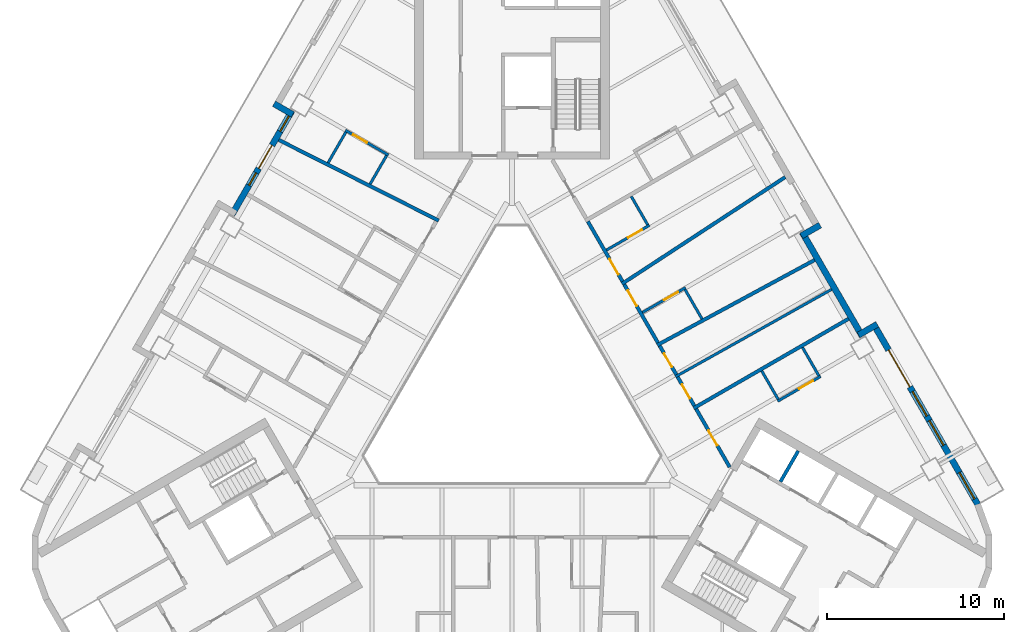
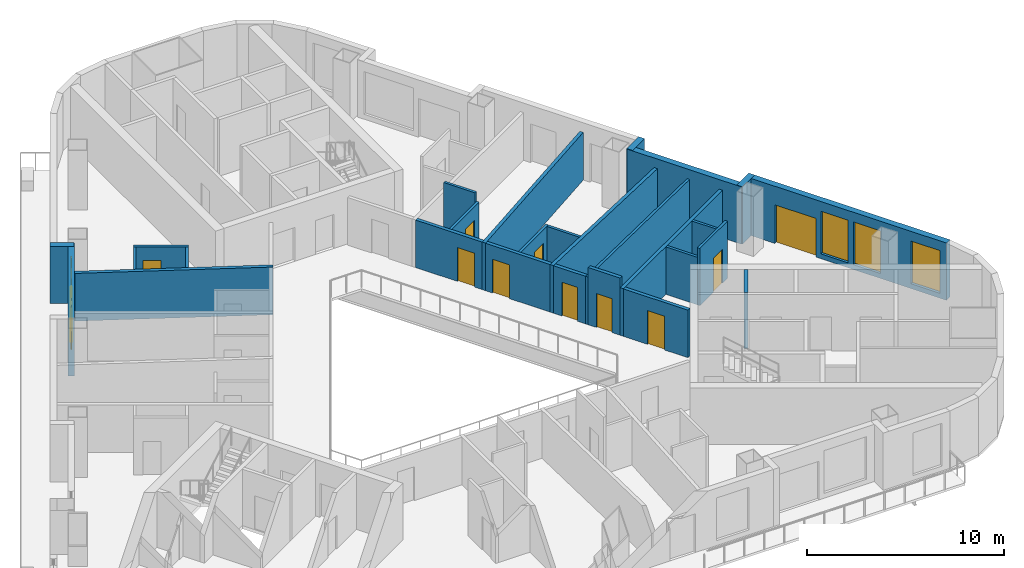
# One storey, part 6 of 14: 27 walls, 11 doors, 5 windows, 16 openings.
"""IFC4 building model written with IfcOpenShell, lengths in metres."""

from ifc_helpers import new_model, si_unit, direction, frame, frame_2d, origin, place, context, subcontext, project, spatial, rectangle, extrude, material, layer, layer_set, type_object, element, fill, save


model = new_model("IFC4")

# Units and contexts
model_context = context("Model", 3, precision=1e-05, world=origin(), true_north=direction((0.0, 1.0)))
body_context = subcontext(model_context, "Body", "Model", "MODEL_VIEW")
ifc_project = project(units=[si_unit("LENGTHUNIT", "METRE"), si_unit("AREAUNIT", "SQUARE_METRE"), si_unit("VOLUMEUNIT", "CUBIC_METRE"), si_unit("PLANEANGLEUNIT", "RADIAN"), si_unit("MASSUNIT", "GRAM", prefix="KILO")], contexts=[model_context])

# Site, building, storey
site_placement = place(None, origin())
site = spatial("IfcSite", under=ifc_project, at=site_placement, CompositionType="ELEMENT")
building_placement = place(site_placement, origin())
building = spatial("IfcBuilding", under=site, at=building_placement, Name="Apuvela Tower Hotel", CompositionType="ELEMENT")
storey_placement = place(building_placement, frame((0.0, 0.0, 50.199951171875)))
storey = spatial("IfcBuildingStorey", under=building, at=storey_placement, Name="L09", CompositionType="ELEMENT", Elevation=50.199951171875)

# Walls
ifc_material_1 = material(Name="Concrete C50/60", Category="concrete")
ifc_layer_1 = layer(ifc_material_1, 0.199951171875)
ifc_layer_set_1 = layer_set([ifc_layer_1], Name="COR-WALL-SHAFT-200")
wall_type_1 = type_object("IfcWallType", Name="COR-WALL-SHAFT-200", PredefinedType="SHEAR", material=ifc_layer_set_1)
wall_1_placement = place(storey_placement, frame((15.131103515625, -5.27197265625, 0.0), z_axis=(0.0, 0.0, 1.0), x_axis=(0.499972520799, 0.866041268327, 0.0)))
element("IfcWall", 1, at=wall_1_placement, inside=storey, type_object=wall_type_1, Name="Shaft wall SE", PredefinedType="SHEAR", context=body_context, shape_type="SweptSolid", body=[
    extrude(rectangle(XDim=2.0, YDim=0.199951171875, at=frame_2d((1.0, 0.0))), origin(), (0.0, 0.0, 1.0), 3.5),
])
ifc_material_2 = material(Name="Concrete C40/50, dark pigmented precast panel", Category="concrete")
ifc_layer_2 = layer(ifc_material_2, 0.35009765625)
ifc_layer_set_2 = layer_set([ifc_layer_2], Name="ENV-WALL-350")
wall_type_2 = type_object("IfcWallType", Name="ENV-WALL-350", PredefinedType="SOLIDWALL", material=ifc_layer_set_2)
wall_2_placement = place(storey_placement, frame((-13.41259765625, 16.02880859375, 0.0), z_axis=(0.0, 0.0, 1.0), x_axis=(0.866005645448, -0.500034220881, 0.0)))
element("IfcWall", 2, at=wall_2_placement, inside=storey, type_object=wall_type_2, Name="External wall L09-02", PredefinedType="SOLIDWALL", context=body_context, shape_type="SweptSolid", body=[
    extrude(rectangle(XDim=1.22021484375, YDim=0.35009765625, at=frame_2d((0.610107421875, 0.0))), origin(), (0.0, 0.0, 1.0), 3.550048828125),
])

# Wall, openings, door, windows
wall_3_placement = place(storey_placement, frame((-12.408935546875, 15.616943359375, 0.0), z_axis=(0.0, 0.0, 1.0), x_axis=(-0.500003597184, -0.866023326939, 0.0)))
wall_3 = element("IfcWall", 3, at=wall_3_placement, inside=storey, type_object=wall_type_2, Name="External wall L09-03", PredefinedType="SOLIDWALL", context=body_context, shape_type="SweptSolid", body=[
    extrude(rectangle(XDim=6.740234375, YDim=0.35009765625, at=frame_2d((3.3701171875, 0.0))), origin(), (0.0, 0.0, 1.0), 3.550048828125),
])
opening_1_placement = place(wall_3_placement, frame((0.3203125, 0.0, 0.300048828125)))
opening_1 = element("IfcOpeningElement", 4, at=opening_1_placement, cuts=wall_3, Name="Opening WN10", PredefinedType="OPENING", context=body_context, shape_type="SweptSolid", body=[
    extrude(rectangle(XDim=1.0, YDim=2.64990234375, at=frame_2d((0.5, 1.324951171875))), frame((0.0, 0.18505859375, 0.0), z_axis=(0.0, -1.0, 0.0), x_axis=(1.0, 0.0, 0.0)), (0.0, 0.0, 1.0), 0.3701171875),
])
opening_2_placement = place(wall_3_placement, frame((2.22900390625, 0.0, 0.0)))
opening_2 = element("IfcOpeningElement", 5, at=opening_2_placement, cuts=wall_3, Name="Opening BD15", PredefinedType="OPENING", context=body_context, shape_type="SweptSolid", body=[
    extrude(rectangle(XDim=1.5, YDim=2.39990234375, at=frame_2d((0.75, 1.199951171875))), frame((0.0, 0.18505859375, 0.0), z_axis=(0.0, -1.0, 0.0), x_axis=(1.0, 0.0, 0.0)), (0.0, 0.0, 1.0), 0.3701171875),
])
opening_3_placement = place(wall_3_placement, frame((4.029052734375, 0.0, 0.300048828125)))
opening_3 = element("IfcOpeningElement", 6, at=opening_3_placement, cuts=wall_3, Name="Opening WN08", PredefinedType="OPENING", context=body_context, shape_type="SweptSolid", body=[
    extrude(rectangle(XDim=0.800048828125, YDim=2.64990234375, at=frame_2d((0.39990234375, 1.324951171875))), frame((0.0, 0.18505859375, 0.0), z_axis=(0.0, -1.0, 0.0), x_axis=(1.0, 0.0, 0.0)), (0.0, 0.0, 1.0), 0.3701171875),
])
ifc_material_3 = material(Name="Aluminium 6063-T6, dark bronze anodised frame with dark tinted laminated glass", Category="aluminium")
door_type_1 = type_object("IfcDoorType", Name="ENV-DOOR-BALCONY-1500x2400", OperationType="SLIDING_TO_LEFT", PredefinedType="DOOR", material=ifc_material_3)
door_1_placement = place(opening_2_placement, frame((1.5, 0.0, 0.0), z_axis=(0.0, 0.0, 1.0), x_axis=(-1.0, 0.0, 0.0)))
door_1 = element("IfcDoor", 7, at=door_1_placement, inside=storey, type_object=door_type_1, Name="Balcony door BD15", OperationType="SLIDING_TO_LEFT", OverallHeight=2.39990234375, OverallWidth=1.5, PredefinedType="DOOR", context=body_context, shape_type="SweptSolid", body=[
    extrude(rectangle(XDim=1.5, YDim=2.39990234375, at=frame_2d((0.75, 1.199951171875))), frame((0.0, 0.02490234375, 0.0), z_axis=(0.0, -1.0, 0.0), x_axis=(1.0, 0.0, 0.0)), (0.0, 0.0, 1.0), 0.050048828125),
])
fill(opening_2, door_1)
ifc_material_4 = material(Name="Glass, dark tinted laminated insulated glazing unit", Category="glass")
window_type_1 = type_object("IfcWindowType", Name="ENV-WIN-1000x2650", PartitioningType="SINGLE_PANEL", PredefinedType="WINDOW", material=ifc_material_4)
window_1_placement = place(opening_1_placement, origin())
window_1 = element("IfcWindow", 8, at=window_1_placement, inside=storey, type_object=window_type_1, Name="Window WN10", OverallHeight=2.64990234375, OverallWidth=1.0, PartitioningType="SINGLE_PANEL", PredefinedType="WINDOW", context=body_context, shape_type="SweptSolid", body=[
    extrude(rectangle(XDim=1.0, YDim=2.64990234375, at=frame_2d((0.5, 1.324951171875))), frame((0.0, 0.030029296875, 0.0), z_axis=(0.0, -1.0, 0.0), x_axis=(1.0, 0.0, 0.0)), (0.0, 0.0, 1.0), 0.06005859375),
])
fill(opening_1, window_1)
window_type_2 = type_object("IfcWindowType", Name="ENV-WIN-800x2650", PartitioningType="SINGLE_PANEL", PredefinedType="WINDOW", material=ifc_material_4)
window_2_placement = place(opening_3_placement, origin())
window_2 = element("IfcWindow", 9, at=window_2_placement, inside=storey, type_object=window_type_2, Name="Window WN08", OverallHeight=2.64990234375, OverallWidth=0.800048828125, PartitioningType="SINGLE_PANEL", PredefinedType="WINDOW", context=body_context, shape_type="SweptSolid", body=[
    extrude(rectangle(XDim=0.800048828125, YDim=2.64990234375, at=frame_2d((0.39990234375, 1.324951171875))), frame((0.0, 0.030029296875, 0.0), z_axis=(0.0, -1.0, 0.0), x_axis=(1.0, 0.0, 0.0)), (0.0, 0.0, 1.0), 0.06005859375),
])
fill(opening_3, window_2)

wall_4_placement = place(storey_placement, frame((26.256591796875, -6.5673828125, 0.0), z_axis=(0.0, 0.0, 1.0), x_axis=(-0.500023526245, 0.866011820475, 0.0)))
wall_4 = element("IfcWall", 10, at=wall_4_placement, inside=storey, type_object=wall_type_2, Name="External wall L09-33", PredefinedType="SOLIDWALL", context=body_context, shape_type="SweptSolid", body=[
    extrude(rectangle(XDim=11.81591796875, YDim=0.35009765625, at=frame_2d((5.907958984375, 0.0))), origin(), (0.0, 0.0, 1.0), 3.550048828125),
])
opening_4_placement = place(wall_4_placement, frame((0.380126953125, 0.0, 0.300048828125)))
opening_4 = element("IfcOpeningElement", 11, at=opening_4_placement, cuts=wall_4, Name="Opening WN17", PredefinedType="OPENING", context=body_context, shape_type="SweptSolid", body=[
    extrude(rectangle(XDim=1.699951171875, YDim=2.64990234375, at=frame_2d((0.85009765625, 1.324951171875))), frame((0.0, 0.18505859375, 0.0), z_axis=(0.0, -1.0, 0.0), x_axis=(1.0, 0.0, 0.0)), (0.0, 0.0, 1.0), 0.3701171875),
])
opening_5_placement = place(wall_4_placement, frame((7.666015625, 0.0, 0.0)))
opening_5 = element("IfcOpeningElement", 12, at=opening_5_placement, cuts=wall_4, Name="Opening BD24", PredefinedType="OPENING", context=body_context, shape_type="SweptSolid", body=[
    extrude(rectangle(XDim=2.39990234375, YDim=2.39990234375, at=frame_2d((1.199951171875, 1.199951171875))), frame((0.0, 0.18505859375, 0.0), z_axis=(0.0, -1.0, 0.0), x_axis=(1.0, 0.0, 0.0)), (0.0, 0.0, 1.0), 0.3701171875),
])
opening_6_placement = place(wall_4_placement, frame((3.865234375, 0.0, 0.300048828125)))
opening_6 = element("IfcOpeningElement", 13, at=opening_6_placement, cuts=wall_4, Name="Opening WN16", PredefinedType="OPENING", context=body_context, shape_type="SweptSolid", body=[
    extrude(rectangle(XDim=1.60009765625, YDim=2.64990234375, at=frame_2d((0.800048828125, 1.324951171875))), frame((0.0, 0.18505859375, 0.0), z_axis=(0.0, -1.0, 0.0), x_axis=(1.0, 0.0, 0.0)), (0.0, 0.0, 1.0), 0.3701171875),
])
opening_7_placement = place(wall_4_placement, frame((5.765380859375, 0.0, 0.300048828125)))
opening_7 = element("IfcOpeningElement", 14, at=opening_7_placement, cuts=wall_4, Name="Opening WN16", PredefinedType="OPENING", context=body_context, shape_type="SweptSolid", body=[
    extrude(rectangle(XDim=1.60009765625, YDim=2.64990234375, at=frame_2d((0.800048828125, 1.324951171875))), frame((0.0, 0.18505859375, 0.0), z_axis=(0.0, -1.0, 0.0), x_axis=(1.0, 0.0, 0.0)), (0.0, 0.0, 1.0), 0.3701171875),
])
door_type_2 = type_object("IfcDoorType", Name="ENV-DOOR-BALCONY-2400x2400", OperationType="SLIDING_TO_LEFT", PredefinedType="DOOR", material=ifc_material_3)
door_2_placement = place(opening_5_placement, frame((2.39990234375, 0.0, 0.0), z_axis=(0.0, 0.0, 1.0), x_axis=(-1.0, 0.0, 0.0)))
door_2 = element("IfcDoor", 15, at=door_2_placement, inside=storey, type_object=door_type_2, Name="Balcony door BD24", OperationType="SLIDING_TO_LEFT", OverallHeight=2.39990234375, OverallWidth=2.39990234375, PredefinedType="DOOR", context=body_context, shape_type="SweptSolid", body=[
    extrude(rectangle(XDim=2.39990234375, YDim=2.39990234375, at=frame_2d((1.199951171875, 1.199951171875))), frame((0.0, 0.02490234375, 0.0), z_axis=(0.0, -1.0, 0.0), x_axis=(1.0, 0.0, 0.0)), (0.0, 0.0, 1.0), 0.050048828125),
])
fill(opening_5, door_2)
window_type_3 = type_object("IfcWindowType", Name="ENV-WIN-1600x2650", PartitioningType="SINGLE_PANEL", PredefinedType="WINDOW", material=ifc_material_4)
window_3_placement = place(opening_6_placement, origin())
window_3 = element("IfcWindow", 16, at=window_3_placement, inside=storey, type_object=window_type_3, Name="Window WN16", OverallHeight=2.64990234375, OverallWidth=1.60009765625, PartitioningType="SINGLE_PANEL", PredefinedType="WINDOW", context=body_context, shape_type="SweptSolid", body=[
    extrude(rectangle(XDim=1.60009765625, YDim=2.64990234375, at=frame_2d((0.800048828125, 1.324951171875))), frame((0.0, 0.030029296875, 0.0), z_axis=(0.0, -1.0, 0.0), x_axis=(1.0, 0.0, 0.0)), (0.0, 0.0, 1.0), 0.06005859375),
])
fill(opening_6, window_3)
window_4_placement = place(opening_7_placement, origin())
window_4 = element("IfcWindow", 17, at=window_4_placement, inside=storey, type_object=window_type_3, Name="Window WN16", OverallHeight=2.64990234375, OverallWidth=1.60009765625, PartitioningType="SINGLE_PANEL", PredefinedType="WINDOW", context=body_context, shape_type="SweptSolid", body=[
    extrude(rectangle(XDim=1.60009765625, YDim=2.64990234375, at=frame_2d((0.800048828125, 1.324951171875))), frame((0.0, 0.030029296875, 0.0), z_axis=(0.0, -1.0, 0.0), x_axis=(1.0, 0.0, 0.0)), (0.0, 0.0, 1.0), 0.06005859375),
])
fill(opening_7, window_4)
window_type_4 = type_object("IfcWindowType", Name="ENV-WIN-1700x2650", PartitioningType="SINGLE_PANEL", PredefinedType="WINDOW", material=ifc_material_4)
window_5_placement = place(opening_4_placement, origin())
window_5 = element("IfcWindow", 18, at=window_5_placement, inside=storey, type_object=window_type_4, Name="Window WN17", OverallHeight=2.64990234375, OverallWidth=1.699951171875, PartitioningType="SINGLE_PANEL", PredefinedType="WINDOW", context=body_context, shape_type="SweptSolid", body=[
    extrude(rectangle(XDim=1.699951171875, YDim=2.64990234375, at=frame_2d((0.85009765625, 1.324951171875))), frame((0.0, 0.030029296875, 0.0), z_axis=(0.0, -1.0, 0.0), x_axis=(1.0, 0.0, 0.0)), (0.0, 0.0, 1.0), 0.06005859375),
])
fill(opening_4, window_5)

# Walls
wall_5_placement = place(storey_placement, frame((20.587646484375, 3.601318359375, 0.0), z_axis=(0.0, 0.0, 1.0), x_axis=(-0.866005645448, -0.500034220881, 0.0)))
element("IfcWall", 19, at=wall_5_placement, inside=storey, type_object=wall_type_2, Name="External wall L09-34", PredefinedType="SOLIDWALL", context=body_context, shape_type="SweptSolid", body=[
    extrude(rectangle(XDim=1.22021484375, YDim=0.35009765625, at=frame_2d((0.610107421875, 0.0))), origin(), (0.0, 0.0, 1.0), 3.550048828125),
])
wall_6_placement = place(storey_placement, frame((19.72900390625, 2.93798828125, 0.0), z_axis=(0.0, 0.0, 1.0), x_axis=(-0.499976430342, 0.866039011305, 0.0)))
element("IfcWall", 20, at=wall_6_placement, inside=storey, type_object=wall_type_2, Name="External wall L09-35", PredefinedType="SOLIDWALL", context=body_context, shape_type="SweptSolid", body=[
    extrude(rectangle(XDim=6.739990234375, YDim=0.35009765625, at=frame_2d((3.3701171875, 0.0))), origin(), (0.0, 0.0, 1.0), 3.550048828125),
])
wall_7_placement = place(storey_placement, frame((16.305908203125, 8.5771484375, 0.0), z_axis=(0.0, 0.0, 1.0), x_axis=(0.866092288191, 0.499884134912, 0.0)))
element("IfcWall", 21, at=wall_7_placement, inside=storey, type_object=wall_type_2, Name="External wall L09-36", PredefinedType="SOLIDWALL", context=body_context, shape_type="SweptSolid", body=[
    extrude(rectangle(XDim=1.219970703125, YDim=0.35009765625, at=frame_2d((0.60986328125, 0.0))), origin(), (0.0, 0.0, 1.0), 3.550048828125),
])
ifc_material_5 = material(Name="Gypsum board partition on twin steel stud", Category="steel")
ifc_layer_3 = layer(ifc_material_5, 0.199951171875)
ifc_layer_set_3 = layer_set([ifc_layer_3], Name="GST-PW1")
wall_type_3 = type_object("IfcWallType", Name="GST-PW1", PredefinedType="PARTITIONING", material=ifc_layer_set_3)
wall_8_placement = place(storey_placement, frame((18.967529296875, 3.9072265625, 0.0), z_axis=(0.0, 0.0, 1.0), x_axis=(-0.866022637375, -0.500004791531, 0.0)))
element("IfcWall", 22, at=wall_8_placement, inside=storey, type_object=wall_type_3, Name="L09 partition 04", PredefinedType="PARTITIONING", context=body_context, shape_type="SweptSolid", body=[
    extrude(rectangle(XDim=10.080078125, YDim=0.199951171875, at=frame_2d((5.0400390625, 0.0))), origin(), (0.0, 0.0, 1.0), 2.9599609375),
])
wall_9_placement = place(storey_placement, frame((17.054931640625, 7.2197265625, 0.0), z_axis=(0.0, 0.0, 1.0), x_axis=(-0.87960357017, -0.475707430407, 0.0)))
element("IfcWall", 23, at=wall_9_placement, inside=storey, type_object=wall_type_3, Name="L09 partition 05", PredefinedType="PARTITIONING", context=body_context, shape_type="SweptSolid", body=[
    extrude(rectangle(XDim=10.083740234375, YDim=0.199951171875, at=frame_2d((5.0419921875, 0.0))), origin(), (0.0, 0.0, 1.0), 2.9599609375),
])
wall_10_placement = place(storey_placement, frame((15.39697265625, 11.8916015625, 0.0), z_axis=(0.0, 0.0, 1.0), x_axis=(-0.836898817878, -0.547357624076, 0.0)))
element("IfcWall", 24, at=wall_10_placement, inside=storey, type_object=wall_type_3, Name="L09 partition 06", PredefinedType="PARTITIONING", context=body_context, shape_type="SweptSolid", body=[
    extrude(rectangle(XDim=10.9970703125, YDim=0.199951171875, at=frame_2d((5.49853515625, 0.0))), origin(), (0.0, 0.0, 1.0), 2.9599609375),
])
wall_11_placement = place(storey_placement, frame((-13.147216796875, 13.988525390625, 0.0), z_axis=(0.0, 0.0, 1.0), x_axis=(0.892898572595, -0.450257858408, 0.0)))
element("IfcWall", 25, at=wall_11_placement, inside=storey, type_object=wall_type_3, Name="L09 partition 08", PredefinedType="PARTITIONING", context=body_context, shape_type="SweptSolid", body=[
    extrude(rectangle(XDim=10.09619140625, YDim=0.199951171875, at=frame_2d((5.048095703125, 0.0))), origin(), (0.0, 0.0, 1.0), 2.9599609375),
])

# Wall, opening, door
ifc_material_6 = material(Name="Gypsum board corridor wall on twin steel stud, acoustic", Category="steel")
ifc_layer_4 = layer(ifc_material_6, 0.199951171875)
ifc_layer_set_4 = layer_set([ifc_layer_4], Name="GST-PW2")
wall_type_4 = type_object("IfcWallType", Name="GST-PW2", PredefinedType="PARTITIONING", material=ifc_layer_set_4)
wall_12_placement = place(storey_placement, frame((10.37451171875, -1.16943359375, 0.0), z_axis=(0.0, 0.0, 1.0), x_axis=(0.500055316652, -0.865993464345, 0.0)))
wall_12 = element("IfcWall", 26, at=wall_12_placement, inside=storey, type_object=wall_type_4, Name="L09 partition 26", PredefinedType="PARTITIONING", context=body_context, shape_type="SweptSolid", body=[
    extrude(rectangle(XDim=3.7880859375, YDim=0.199951171875, at=frame_2d((1.89404296875, 0.0))), origin(), (0.0, 0.0, 1.0), 2.949951171875),
])
opening_8_placement = place(wall_12_placement, frame((1.39404296875, 0.0, 0.0)))
opening_8 = element("IfcOpeningElement", 27, at=opening_8_placement, cuts=wall_12, Name="Opening GD01-10", PredefinedType="OPENING", context=body_context, shape_type="SweptSolid", body=[
    extrude(rectangle(XDim=1.0, YDim=2.10009765625, at=frame_2d((0.5, 1.050048828125))), frame((0.0, 0.10986328125, 0.0), z_axis=(0.0, -1.0, 0.0), x_axis=(1.0, 0.0, 0.0)), (0.0, 0.0, 1.0), 0.219970703125),
])
ifc_material_7 = material(Name="Timber door leaf in steel frame", Category="steel")
door_type_3 = type_object("IfcDoorType", Name="GST-D1", OperationType="NOTDEFINED", PredefinedType="DOOR", material=ifc_material_7)
door_3_placement = place(opening_8_placement, origin())
door_3 = element("IfcDoor", 28, at=door_3_placement, inside=storey, type_object=door_type_3, Name="Door L09-10", OperationType="SINGLE_SWING_LEFT", OverallHeight=2.10009765625, OverallWidth=1.0, PredefinedType="DOOR", context=body_context, shape_type="SweptSolid", body=[
    extrude(rectangle(XDim=1.0, YDim=2.10009765625, at=frame_2d((0.5, 1.050048828125))), frame((0.0, 0.02490234375, 0.0), z_axis=(0.0, -1.0, 0.0), x_axis=(1.0, 0.0, 0.0)), (0.0, 0.0, 1.0), 0.050048828125),
])
fill(opening_8, door_3)

wall_13_placement = place(storey_placement, frame((9.33642578125, 0.62890625, 0.0), z_axis=(0.0, 0.0, 1.0), x_axis=(0.500015282227, -0.866016580407, 0.0)))
wall_13 = element("IfcWall", 29, at=wall_13_placement, inside=storey, type_object=wall_type_4, Name="L09 partition 31", PredefinedType="PARTITIONING", context=body_context, shape_type="SweptSolid", body=[
    extrude(rectangle(XDim=1.87646484375, YDim=0.199951171875, at=frame_2d((0.938232421875, 0.0))), origin(), (0.0, 0.0, 1.0), 3.550048828125),
])
opening_9_placement = place(wall_13_placement, frame((0.48828125, 0.0, 0.0)))
opening_9 = element("IfcOpeningElement", 30, at=opening_9_placement, cuts=wall_13, Name="Opening GD01-11", PredefinedType="OPENING", context=body_context, shape_type="SweptSolid", body=[
    extrude(rectangle(XDim=0.89990234375, YDim=2.10009765625, at=frame_2d((0.449951171875, 1.050048828125))), frame((0.0, 0.10986328125, 0.0), z_axis=(0.0, -1.0, 0.0), x_axis=(1.0, 0.0, 0.0)), (0.0, 0.0, 1.0), 0.219970703125),
])
door_type_4 = type_object("IfcDoorType", Name="GST-D2", OperationType="NOTDEFINED", PredefinedType="DOOR", material=ifc_material_7)
door_4_placement = place(opening_9_placement, origin())
door_4 = element("IfcDoor", 31, at=door_4_placement, inside=storey, type_object=door_type_4, Name="Door L09-11", OperationType="SINGLE_SWING_LEFT", OverallHeight=2.10009765625, OverallWidth=0.89990234375, PredefinedType="DOOR", context=body_context, shape_type="SweptSolid", body=[
    extrude(rectangle(XDim=0.89990234375, YDim=2.10009765625, at=frame_2d((0.449951171875, 1.050048828125))), frame((0.0, 0.02490234375, 0.0), z_axis=(0.0, -1.0, 0.0), x_axis=(1.0, 0.0, 0.0)), (0.0, 0.0, 1.0), 0.050048828125),
])
fill(opening_9, door_4)

wall_14_placement = place(storey_placement, frame((8.3232421875, 2.3837890625, 0.0), z_axis=(0.0, 0.0, 1.0), x_axis=(0.500015282227, -0.866016580407, 0.0)))
wall_14 = element("IfcWall", 32, at=wall_14_placement, inside=storey, type_object=wall_type_4, Name="L09 partition 32", PredefinedType="PARTITIONING", context=body_context, shape_type="SweptSolid", body=[
    extrude(rectangle(XDim=1.87646484375, YDim=0.199951171875, at=frame_2d((0.938232421875, 0.0))), origin(), (0.0, 0.0, 1.0), 2.949951171875),
])
opening_10_placement = place(wall_14_placement, frame((0.48828125, 0.0, 0.0)))
opening_10 = element("IfcOpeningElement", 33, at=opening_10_placement, cuts=wall_14, Name="Opening GD01-12", PredefinedType="OPENING", context=body_context, shape_type="SweptSolid", body=[
    extrude(rectangle(XDim=0.89990234375, YDim=2.10009765625, at=frame_2d((0.449951171875, 1.050048828125))), frame((0.0, 0.10986328125, 0.0), z_axis=(0.0, -1.0, 0.0), x_axis=(1.0, 0.0, 0.0)), (0.0, 0.0, 1.0), 0.219970703125),
])
door_5_placement = place(opening_10_placement, origin())
door_5 = element("IfcDoor", 34, at=door_5_placement, inside=storey, type_object=door_type_4, Name="Door L09-12", OperationType="SINGLE_SWING_RIGHT", OverallHeight=2.10009765625, OverallWidth=0.89990234375, PredefinedType="DOOR", context=body_context, shape_type="SweptSolid", body=[
    extrude(rectangle(XDim=0.89990234375, YDim=2.10009765625, at=frame_2d((0.449951171875, 1.050048828125))), frame((0.0, 0.02490234375, 0.0), z_axis=(0.0, -1.0, 0.0), x_axis=(1.0, 0.0, 0.0)), (0.0, 0.0, 1.0), 0.050048828125),
])
fill(opening_10, door_5)

wall_15_placement = place(storey_placement, frame((6.327392578125, 5.840576171875, 0.0), z_axis=(0.0, 0.0, 1.0), x_axis=(0.499982560684, -0.866035472144, 0.0)))
wall_15 = element("IfcWall", 35, at=wall_15_placement, inside=storey, type_object=wall_type_4, Name="L09 partition 33", PredefinedType="PARTITIONING", context=body_context, shape_type="SweptSolid", body=[
    extrude(rectangle(XDim=3.791748046875, YDim=0.199951171875, at=frame_2d((1.89599609375, 0.0))), origin(), (0.0, 0.0, 1.0), 2.949951171875),
])
opening_11_placement = place(wall_15_placement, frame((0.4013671875, 0.0, 0.0)))
opening_11 = element("IfcOpeningElement", 36, at=opening_11_placement, cuts=wall_15, Name="Opening GD01-14", PredefinedType="OPENING", context=body_context, shape_type="SweptSolid", body=[
    extrude(rectangle(XDim=1.0, YDim=2.10009765625, at=frame_2d((0.5, 1.050048828125))), frame((0.0, 0.10986328125, 0.0), z_axis=(0.0, -1.0, 0.0), x_axis=(1.0, 0.0, 0.0)), (0.0, 0.0, 1.0), 0.219970703125),
])
door_6_placement = place(opening_11_placement, origin())
door_6 = element("IfcDoor", 37, at=door_6_placement, inside=storey, type_object=door_type_3, Name="Door L09-14", OperationType="SINGLE_SWING_LEFT", OverallHeight=2.10009765625, OverallWidth=1.0, PredefinedType="DOOR", context=body_context, shape_type="SweptSolid", body=[
    extrude(rectangle(XDim=1.0, YDim=2.10009765625, at=frame_2d((0.5, 1.050048828125))), frame((0.0, 0.02490234375, 0.0), z_axis=(0.0, -1.0, 0.0), x_axis=(1.0, 0.0, 0.0)), (0.0, 0.0, 1.0), 0.050048828125),
])
fill(opening_11, door_6)

wall_16_placement = place(storey_placement, frame((4.274658203125, 9.396240234375, 0.0), z_axis=(0.0, 0.0, 1.0), x_axis=(0.499971370958, -0.866041932139, 0.0)))
wall_16 = element("IfcWall", 38, at=wall_16_placement, inside=storey, type_object=wall_type_4, Name="L09 partition 36", PredefinedType="PARTITIONING", context=body_context, shape_type="SweptSolid", body=[
    extrude(rectangle(XDim=3.905517578125, YDim=0.199951171875, at=frame_2d((1.95263671875, 0.0))), origin(), (0.0, 0.0, 1.0), 2.949951171875),
])
opening_12_placement = place(wall_16_placement, frame((2.449951171875, 0.0, 0.0)))
opening_12 = element("IfcOpeningElement", 39, at=opening_12_placement, cuts=wall_16, Name="Opening GD01-16", PredefinedType="OPENING", context=body_context, shape_type="SweptSolid", body=[
    extrude(rectangle(XDim=1.0, YDim=2.10009765625, at=frame_2d((0.5, 1.050048828125))), frame((0.0, 0.10986328125, 0.0), z_axis=(0.0, -1.0, 0.0), x_axis=(1.0, 0.0, 0.0)), (0.0, 0.0, 1.0), 0.219970703125),
])
door_7_placement = place(opening_12_placement, origin())
door_7 = element("IfcDoor", 40, at=door_7_placement, inside=storey, type_object=door_type_3, Name="Door L09-16", OperationType="SINGLE_SWING_RIGHT", OverallHeight=2.10009765625, OverallWidth=1.0, PredefinedType="DOOR", context=body_context, shape_type="SweptSolid", body=[
    extrude(rectangle(XDim=1.0, YDim=2.10009765625, at=frame_2d((0.5, 1.050048828125))), frame((0.0, 0.02490234375, 0.0), z_axis=(0.0, -1.0, 0.0), x_axis=(1.0, 0.0, 0.0)), (0.0, 0.0, 1.0), 0.050048828125),
])
fill(opening_12, door_7)

ifc_material_8 = material(Name="Moisture-resistant gypsum board wet wall on steel stud", Category="steel")
ifc_layer_5 = layer(ifc_material_8, 0.14990234375)
ifc_layer_set_5 = layer_set([ifc_layer_5], Name="GST-PW3")
wall_type_5 = type_object("IfcWallType", Name="GST-PW3", PredefinedType="PARTITIONING", material=ifc_layer_set_5)
wall_17_placement = place(storey_placement, frame((14.974365234375, -0.736572265625, 0.0), z_axis=(0.0, 0.0, 1.0), x_axis=(0.866018616679, 0.500011755427, 0.0)))
wall_17 = element("IfcWall", 41, at=wall_17_placement, inside=storey, type_object=wall_type_5, Name="L09 partition 27", PredefinedType="PARTITIONING", context=body_context, shape_type="SweptSolid", body=[
    extrude(rectangle(XDim=2.80029296875, YDim=0.14990234375, at=frame_2d((1.400146484375, 0.0))), origin(), (0.0, 0.0, 1.0), 3.550048828125),
])
opening_13_placement = place(wall_17_placement, frame((1.39990234375, 0.0, 0.0)))
opening_13 = element("IfcOpeningElement", 42, at=opening_13_placement, cuts=wall_17, Name="Opening GD01-09", PredefinedType="OPENING", context=body_context, shape_type="SweptSolid", body=[
    extrude(rectangle(XDim=0.89990234375, YDim=2.10009765625, at=frame_2d((0.449951171875, 1.050048828125))), frame((0.0, 0.0849609375, 0.0), z_axis=(0.0, -1.0, 0.0), x_axis=(1.0, 0.0, 0.0)), (0.0, 0.0, 1.0), 0.169921875),
])
door_8_placement = place(opening_13_placement, origin())
door_8 = element("IfcDoor", 43, at=door_8_placement, inside=storey, type_object=door_type_4, Name="Door L09-09", OperationType="SINGLE_SWING_RIGHT", OverallHeight=2.10009765625, OverallWidth=0.89990234375, PredefinedType="DOOR", context=body_context, shape_type="SweptSolid", body=[
    extrude(rectangle(XDim=0.89990234375, YDim=2.10009765625, at=frame_2d((0.449951171875, 1.050048828125))), frame((0.0, 0.02490234375, 0.0), z_axis=(0.0, -1.0, 0.0), x_axis=(1.0, 0.0, 0.0)), (0.0, 0.0, 1.0), 0.050048828125),
])
fill(opening_13, door_8)

# Walls
wall_18_placement = place(storey_placement, frame((17.296875, 0.69091796875, 0.0), z_axis=(0.0, 0.0, 1.0), x_axis=(-0.499985172903, 0.866033964044, 0.0)))
element("IfcWall", 44, at=wall_18_placement, inside=storey, type_object=wall_type_5, Name="L09 partition 28", PredefinedType="PARTITIONING", context=body_context, shape_type="SweptSolid", body=[
    extrude(rectangle(XDim=1.85009765625, YDim=0.14990234375, at=frame_2d((0.925048828125, 0.0))), origin(), (0.0, 0.0, 1.0), 2.949951171875),
])
wall_19_placement = place(storey_placement, frame((15.001953125, -0.634033203125, 0.0), z_axis=(0.0, 0.0, 1.0), x_axis=(-0.500042316284, 0.866000971088, 0.0)))
element("IfcWall", 45, at=wall_19_placement, inside=storey, type_object=wall_type_5, Name="L09 partition 29", PredefinedType="PARTITIONING", context=body_context, shape_type="SweptSolid", body=[
    extrude(rectangle(XDim=1.849853515625, YDim=0.14990234375, at=frame_2d((0.9248046875, 0.0))), origin(), (0.0, 0.0, 1.0), 2.949951171875),
])
wall_20_placement = place(storey_placement, frame((18.01123046875, 5.5634765625, 0.0), z_axis=(0.0, 0.0, 1.0), x_axis=(-0.872898889426, -0.487901146585, 0.0)))
element("IfcWall", 46, at=wall_20_placement, inside=storey, type_object=wall_type_5, Name="L09 partition 30", PredefinedType="PARTITIONING", context=body_context, shape_type="SweptSolid", body=[
    extrude(rectangle(XDim=10.080810546875, YDim=0.14990234375, at=frame_2d((5.04052734375, 0.0))), origin(), (0.0, 0.0, 1.0), 2.949951171875),
])

# Wall, opening, door
wall_21_placement = place(storey_placement, frame((9.77783203125, 5.664306640625, 0.0), z_axis=(0.0, 0.0, 1.0), x_axis=(-0.866034573852, -0.49998411664, 0.0)))
wall_21 = element("IfcWall", 47, at=wall_21_placement, inside=storey, type_object=wall_type_5, Name="L09 partition 34", PredefinedType="PARTITIONING", context=body_context, shape_type="SweptSolid", body=[
    extrude(rectangle(XDim=2.7998046875, YDim=0.14990234375, at=frame_2d((1.39990234375, 0.0))), origin(), (0.0, 0.0, 1.0), 2.949951171875),
])
opening_14_placement = place(wall_21_placement, frame((0.5, 0.0, 0.0)))
opening_14 = element("IfcOpeningElement", 48, at=opening_14_placement, cuts=wall_21, Name="Opening GD01-13", PredefinedType="OPENING", context=body_context, shape_type="SweptSolid", body=[
    extrude(rectangle(XDim=0.89990234375, YDim=2.10009765625, at=frame_2d((0.449951171875, 1.050048828125))), frame((0.0, 0.0849609375, 0.0), z_axis=(0.0, -1.0, 0.0), x_axis=(1.0, 0.0, 0.0)), (0.0, 0.0, 1.0), 0.169921875),
])
door_9_placement = place(opening_14_placement, origin())
door_9 = element("IfcDoor", 49, at=door_9_placement, inside=storey, type_object=door_type_4, Name="Door L09-13", OperationType="SINGLE_SWING_LEFT", OverallHeight=2.10009765625, OverallWidth=0.89990234375, PredefinedType="DOOR", context=body_context, shape_type="SweptSolid", body=[
    extrude(rectangle(XDim=0.89990234375, YDim=2.10009765625, at=frame_2d((0.449951171875, 1.050048828125))), frame((0.0, 0.02490234375, 0.0), z_axis=(0.0, -1.0, 0.0), x_axis=(1.0, 0.0, 0.0)), (0.0, 0.0, 1.0), 0.050048828125),
])
fill(opening_14, door_9)

# Wall
wall_22_placement = place(storey_placement, frame((10.708984375, 3.9013671875, 0.0), z_axis=(0.0, 0.0, 1.0), x_axis=(-0.499946593449, 0.866056235875, 0.0)))
element("IfcWall", 50, at=wall_22_placement, inside=storey, type_object=wall_type_5, Name="L09 partition 35", PredefinedType="PARTITIONING", context=body_context, shape_type="SweptSolid", body=[
    extrude(rectangle(XDim=1.917236328125, YDim=0.14990234375, at=frame_2d((0.95849609375, 0.0))), origin(), (0.0, 0.0, 1.0), 2.949951171875),
])

# Wall, opening, door
wall_23_placement = place(storey_placement, frame((5.32373046875, 7.779052734375, 0.0), z_axis=(0.0, 0.0, 1.0), x_axis=(0.865996816683, 0.500049511043, 0.0)))
wall_23 = element("IfcWall", 51, at=wall_23_placement, inside=storey, type_object=wall_type_5, Name="L09 partition 37", PredefinedType="PARTITIONING", context=body_context, shape_type="SweptSolid", body=[
    extrude(rectangle(XDim=2.800048828125, YDim=0.14990234375, at=frame_2d((1.39990234375, 0.0))), origin(), (0.0, 0.0, 1.0), 2.949951171875),
])
opening_15_placement = place(wall_23_placement, frame((1.39990234375, 0.0, 0.0)))
opening_15 = element("IfcOpeningElement", 52, at=opening_15_placement, cuts=wall_23, Name="Opening GD01-15", PredefinedType="OPENING", context=body_context, shape_type="SweptSolid", body=[
    extrude(rectangle(XDim=0.89990234375, YDim=2.10009765625, at=frame_2d((0.449951171875, 1.050048828125))), frame((0.0, 0.0849609375, 0.0), z_axis=(0.0, -1.0, 0.0), x_axis=(1.0, 0.0, 0.0)), (0.0, 0.0, 1.0), 0.169921875),
])
door_10_placement = place(opening_15_placement, origin())
door_10 = element("IfcDoor", 53, at=door_10_placement, inside=storey, type_object=door_type_4, Name="Door L09-15", OperationType="SINGLE_SWING_RIGHT", OverallHeight=2.10009765625, OverallWidth=0.89990234375, PredefinedType="DOOR", context=body_context, shape_type="SweptSolid", body=[
    extrude(rectangle(XDim=0.89990234375, YDim=2.10009765625, at=frame_2d((0.449951171875, 1.050048828125))), frame((0.0, 0.02490234375, 0.0), z_axis=(0.0, -1.0, 0.0), x_axis=(1.0, 0.0, 0.0)), (0.0, 0.0, 1.0), 0.050048828125),
])
fill(opening_15, door_10)

# Wall
wall_24_placement = place(storey_placement, frame((7.64599609375, 9.20654296875, 0.0), z_axis=(0.0, 0.0, 1.0), x_axis=(-0.49994333299, 0.866058118026, 0.0)))
element("IfcWall", 54, at=wall_24_placement, inside=storey, type_object=wall_type_5, Name="L09 partition 38", PredefinedType="PARTITIONING", context=body_context, shape_type="SweptSolid", body=[
    extrude(rectangle(XDim=1.849853515625, YDim=0.14990234375, at=frame_2d((0.9248046875, 0.0))), origin(), (0.0, 0.0, 1.0), 3.550048828125),
])

# Wall, opening, door
wall_25_placement = place(storey_placement, frame((-6.96533203125, 13.1357421875, 0.0), z_axis=(0.0, 0.0, 1.0), x_axis=(-0.866034573852, 0.49998411664, 0.0)))
wall_25 = element("IfcWall", 55, at=wall_25_placement, inside=storey, type_object=wall_type_5, Name="L09 partition 44", PredefinedType="PARTITIONING", context=body_context, shape_type="SweptSolid", body=[
    extrude(rectangle(XDim=2.7998046875, YDim=0.14990234375, at=frame_2d((1.39990234375, 0.0))), origin(), (0.0, 0.0, 1.0), 2.949951171875),
])
opening_16_placement = place(wall_25_placement, frame((1.39990234375, 0.0, 0.0)))
opening_16 = element("IfcOpeningElement", 56, at=opening_16_placement, cuts=wall_25, Name="Opening GD01-19", PredefinedType="OPENING", context=body_context, shape_type="SweptSolid", body=[
    extrude(rectangle(XDim=0.89990234375, YDim=2.10009765625, at=frame_2d((0.449951171875, 1.050048828125))), frame((0.0, 0.0849609375, 0.0), z_axis=(0.0, -1.0, 0.0), x_axis=(1.0, 0.0, 0.0)), (0.0, 0.0, 1.0), 0.169921875),
])
door_11_placement = place(opening_16_placement, origin())
door_11 = element("IfcDoor", 57, at=door_11_placement, inside=storey, type_object=door_type_4, Name="Door L09-19", OperationType="SINGLE_SWING_RIGHT", OverallHeight=2.10009765625, OverallWidth=0.89990234375, PredefinedType="DOOR", context=body_context, shape_type="SweptSolid", body=[
    extrude(rectangle(XDim=0.89990234375, YDim=2.10009765625, at=frame_2d((0.449951171875, 1.050048828125))), frame((0.0, 0.02490234375, 0.0), z_axis=(0.0, -1.0, 0.0), x_axis=(1.0, 0.0, 0.0)), (0.0, 0.0, 1.0), 0.050048828125),
])
fill(opening_16, door_11)

# Walls
wall_26_placement = place(storey_placement, frame((-9.36279296875, 14.43310546875, 0.0), z_axis=(0.0, 0.0, 1.0), x_axis=(-0.500056363668, -0.86599285976, 0.0)))
element("IfcWall", 58, at=wall_26_placement, inside=storey, type_object=wall_type_5, Name="L09 partition 45", PredefinedType="PARTITIONING", context=body_context, shape_type="SweptSolid", body=[
    extrude(rectangle(XDim=2.004150390625, YDim=0.14990234375, at=frame_2d((1.001953125, 0.0))), origin(), (0.0, 0.0, 1.0), 2.949951171875),
])
wall_27_placement = place(storey_placement, frame((-7.06787109375, 13.108154296875, 0.0), z_axis=(0.0, 0.0, 1.0), x_axis=(-0.4999770169, -0.866038672677, 0.0)))
element("IfcWall", 59, at=wall_27_placement, inside=storey, type_object=wall_type_5, Name="L09 partition 46", PredefinedType="PARTITIONING", context=body_context, shape_type="SweptSolid", body=[
    extrude(rectangle(XDim=1.85400390625, YDim=0.14990234375, at=frame_2d((0.927001953125, 0.0))), origin(), (0.0, 0.0, 1.0), 2.949951171875),
])

save(model, "model.ifc")
